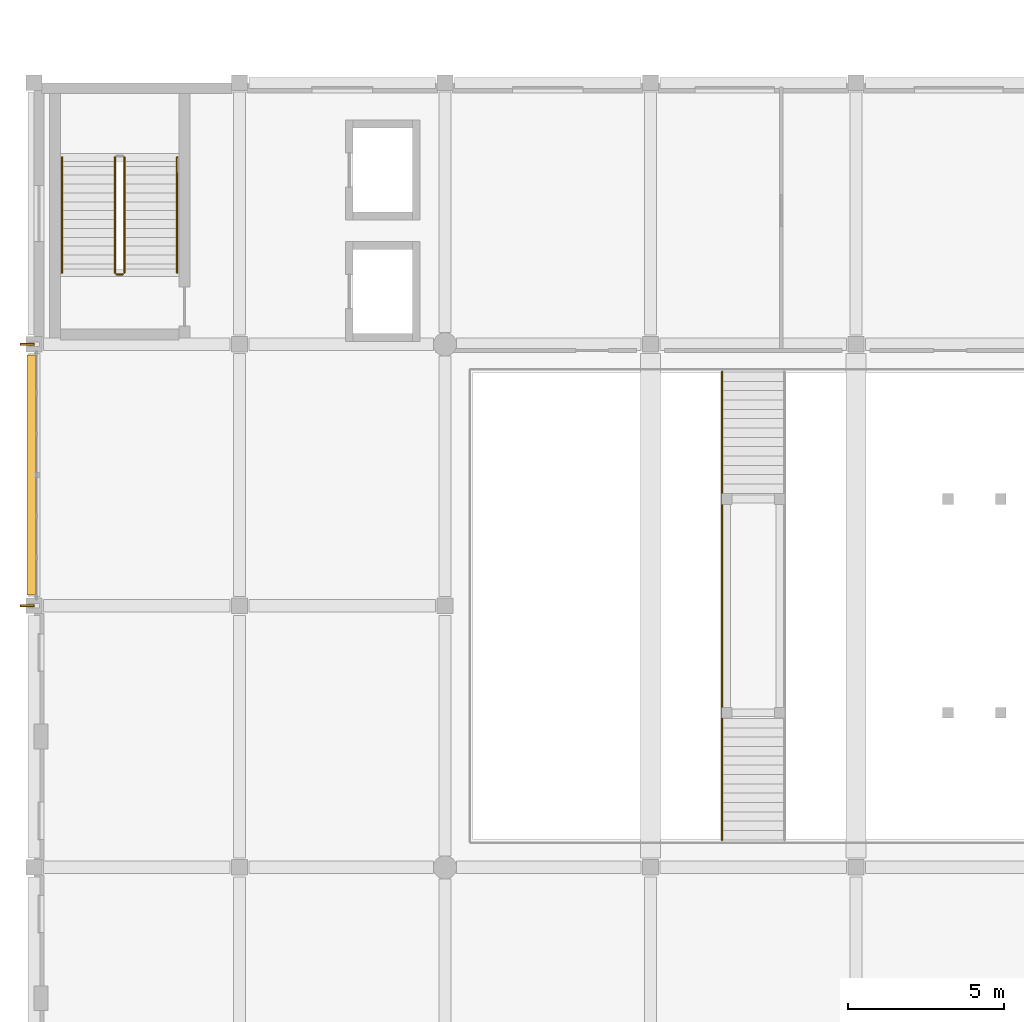
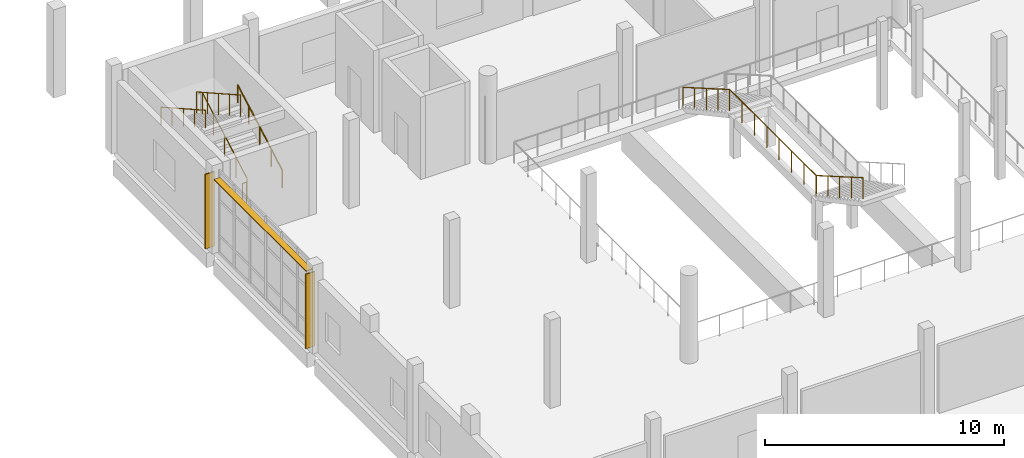
# One storey, part 72 of 83: 6 railings, 3 shading devices.
"""IFC4 building model written with IfcOpenShell, lengths in metres."""

from ifc_helpers import new_model, si_unit, direction, frame, origin, origin_2d, place, context, subcontext, project, spatial, rectangle, circle, extrude, material, layer, layer_set, type_object, element, save


model = new_model("IFC4")

# Units and contexts
model_context = context("Model", 3, precision=1e-05, world=origin(), true_north=direction((0.0, 1.0)))
body_context = subcontext(model_context, "Body", "Model", "MODEL_VIEW")
ifc_project = project(units=[si_unit("LENGTHUNIT", "METRE"), si_unit("AREAUNIT", "SQUARE_METRE"), si_unit("VOLUMEUNIT", "CUBIC_METRE"), si_unit("PLANEANGLEUNIT", "RADIAN"), si_unit("MASSUNIT", "GRAM", prefix="KILO")], contexts=[model_context])

# Site, building, storey
site_placement = place(None, origin())
site = spatial("IfcSite", under=ifc_project, at=site_placement, CompositionType="ELEMENT")
building_placement = place(site_placement, origin())
building = spatial("IfcBuilding", under=site, at=building_placement, Name="Qaldarim Faculty of Natural and Applied Sciences", CompositionType="ELEMENT")
storey_placement = place(building_placement, frame((0.0, 0.0, 5.39990234375)))
storey = spatial("IfcBuildingStorey", under=building, at=storey_placement, Name="L01", CompositionType="ELEMENT", Elevation=5.39990234375)

# Railings
ifc_material_1 = material(Name="Architectural stainless steel 316", Category="steel")
railing_type_1 = type_object("IfcRailingType", Name="GuardBalustrade-1100", PredefinedType="BALUSTRADE", material=ifc_material_1)
railing_1_placement = place(storey_placement, frame((2.89990234375, 77.89990234375, 0.16015625)))
element("IfcRailing", 1, at=railing_1_placement, inside=storey, type_object=railing_type_1, Name="ST-D2 L01 stair well guard 1", PredefinedType="BALUSTRADE", context=body_context, shape_type="SweptSolid", body=[
    extrude(circle(Radius=0.02392578125, at=origin_2d()), frame((0.0, 0.0, 1.076171875), z_axis=(0.0, 0.870998619023, 0.491285462496), x_axis=(-1.0, 0.0, 0.0)), (0.0, 0.0, 1.0), 4.25390625),
    extrude(circle(Radius=0.02099609375, at=origin_2d()), origin(), (0.0, 0.0, 1.0), 1.052001953125),
    extrude(circle(Radius=0.02099609375, at=origin_2d()), frame((0.0, 0.92626953125, 0.5224609375)), (0.0, 0.0, 1.0), 1.052001953125),
    extrude(circle(Radius=0.02099609375, at=origin_2d()), frame((0.0, 1.8525390625, 1.044921875)), (0.0, 0.0, 1.0), 1.052001953125),
    extrude(circle(Radius=0.02099609375, at=origin_2d()), frame((0.0, 2.77880859375, 1.5673828125)), (0.0, 0.0, 1.0), 1.052001953125),
    extrude(circle(Radius=0.02099609375, at=origin_2d()), frame((0.0, 3.705078125, 2.08984375)), (0.0, 0.0, 1.0), 1.052001953125),
])
railing_2_placement = place(storey_placement, frame((2.60009765625, 81.60498046875, 2.41015625)))
element("IfcRailing", 2, at=railing_2_placement, inside=storey, type_object=railing_type_1, Name="ST-D2 L01 stair well guard 3", PredefinedType="BALUSTRADE", context=body_context, shape_type="SweptSolid", body=[
    extrude(circle(Radius=0.02392578125, at=origin_2d()), frame((0.0, 0.0, 1.076171875), z_axis=(0.0, -0.870998619023, 0.491285462496), x_axis=(1.0, 0.0, 0.0)), (0.0, 0.0, 1.0), 4.25390625),
    extrude(circle(Radius=0.02099609375, at=origin_2d()), origin(), (0.0, 0.0, 1.0), 1.052001953125),
    extrude(circle(Radius=0.02099609375, at=origin_2d()), frame((0.0, -0.92626953125, 0.5224609375)), (0.0, 0.0, 1.0), 1.052001953125),
    extrude(circle(Radius=0.02099609375, at=origin_2d()), frame((0.0, -1.8525390625, 1.044921875)), (0.0, 0.0, 1.0), 1.052001953125),
    extrude(circle(Radius=0.02099609375, at=origin_2d()), frame((0.0, -2.77880859375, 1.5673828125)), (0.0, 0.0, 1.0), 1.052001953125),
    extrude(circle(Radius=0.02099609375, at=origin_2d()), frame((0.0, -3.705078125, 2.08984375)), (0.0, 0.0, 1.0), 1.052001953125),
])
railing_3_placement = place(storey_placement, frame((2.85009765625, 77.85009765625, 0.0)))
element("IfcRailing", 3, at=railing_3_placement, inside=storey, type_object=railing_type_1, Name="ST-D2 L01 stair well guard 4", PredefinedType="BALUSTRADE", context=body_context, shape_type="SweptSolid", body=[
    extrude(circle(Radius=0.02392578125, at=origin_2d()), frame((0.0, 0.0, 1.076171875), z_axis=(-1.0, 0.0, 0.0), x_axis=(0.0, -1.0, 0.0)), (0.0, 0.0, 1.0), 0.2001953125),
    extrude(circle(Radius=0.02099609375, at=origin_2d()), origin(), (0.0, 0.0, 1.0), 1.052001953125),
    extrude(circle(Radius=0.02099609375, at=origin_2d()), frame((-0.2001953125, 0.0, 0.0)), (0.0, 0.0, 1.0), 1.052001953125),
])
railing_4_placement = place(storey_placement, frame((22.10009765625, 74.715087890625, 0.0)))
element("IfcRailing", 4, at=railing_4_placement, inside=storey, type_object=railing_type_1, Name="Atrium monumental stair L01 guard balustrade W", PredefinedType="BALUSTRADE", context=body_context, shape_type="SweptSolid", body=[
    extrude(circle(Radius=0.02392578125, at=origin_2d()), frame((0.0, -0.00341796875, 1.078125), z_axis=(0.0, -0.866193710181, 0.499708371395), x_axis=(1.0, 0.0, 0.0)), (0.0, 0.0, 1.0), 4.49462890625),
    extrude(circle(Radius=0.02392578125, at=origin_2d()), frame((0.0, -3.904052734375, 3.326171875), z_axis=(0.0, -1.0, 0.0), x_axis=(1.0, 0.0, 0.0)), (0.0, 0.0, 1.0), 7.221923828125),
    extrude(circle(Radius=0.02392578125, at=origin_2d()), frame((0.0, -11.133544921875, 3.328125), z_axis=(0.0, -0.866180169578, 0.49973184192), x_axis=(1.0, 0.0, 0.0)), (0.0, 0.0, 1.0), 4.494384765625),
    extrude(circle(Radius=0.02099609375, at=origin_2d()), origin(), (0.0, 0.0, 1.0), 1.052001953125),
    extrude(circle(Radius=0.02099609375, at=origin_2d()), frame((0.0, -0.97509765625, 0.5625)), (0.0, 0.0, 1.0), 1.052001953125),
    extrude(circle(Radius=0.02099609375, at=origin_2d()), frame((0.0, -1.9501953125, 1.125)), (0.0, 0.0, 1.0), 1.052001953125),
    extrude(circle(Radius=0.02099609375, at=origin_2d()), frame((0.0, -2.925048828125, 1.6875)), (0.0, 0.0, 1.0), 1.052001953125),
    extrude(circle(Radius=0.02099609375, at=origin_2d()), frame((0.0, -3.900146484375, 2.25)), (0.0, 0.0, 1.0), 1.052001953125),
    extrude(circle(Radius=0.02099609375, at=origin_2d()), frame((0.0, -4.93310546875, 2.25)), (0.0, 0.0, 1.0), 1.052001953125),
    extrude(circle(Radius=0.02099609375, at=origin_2d()), frame((0.0, -5.9658203125, 2.25)), (0.0, 0.0, 1.0), 1.052001953125),
    extrude(circle(Radius=0.02099609375, at=origin_2d()), frame((0.0, -6.998779296875, 2.25)), (0.0, 0.0, 1.0), 1.052001953125),
    extrude(circle(Radius=0.02099609375, at=origin_2d()), frame((0.0, -8.031494140625, 2.25)), (0.0, 0.0, 1.0), 1.052001953125),
    extrude(circle(Radius=0.02099609375, at=origin_2d()), frame((0.0, -9.064453125, 2.25)), (0.0, 0.0, 1.0), 1.052001953125),
    extrude(circle(Radius=0.02099609375, at=origin_2d()), frame((0.0, -10.09716796875, 2.25)), (0.0, 0.0, 1.0), 1.052001953125),
    extrude(circle(Radius=0.02099609375, at=origin_2d()), frame((0.0, -11.130126953125, 2.25)), (0.0, 0.0, 1.0), 1.052001953125),
    extrude(circle(Radius=0.02099609375, at=origin_2d()), frame((0.0, -12.10498046875, 2.8125)), (0.0, 0.0, 1.0), 1.052001953125),
    extrude(circle(Radius=0.02099609375, at=origin_2d()), frame((0.0, -13.080078125, 3.375)), (0.0, 0.0, 1.0), 1.052001953125),
    extrude(circle(Radius=0.02099609375, at=origin_2d()), frame((0.0, -14.05517578125, 3.9375)), (0.0, 0.0, 1.0), 1.052001953125),
    extrude(circle(Radius=0.02099609375, at=origin_2d()), frame((0.0, -15.030029296875, 4.5)), (0.0, 0.0, 1.0), 1.052001953125),
])

# Shading device
ifc_material_2 = material(Name="Champagne anodised aluminium AW-6063", Category="aluminium")
ifc_layer_1 = layer(ifc_material_2, 0.050048828125)
ifc_layer_set_1 = layer_set([ifc_layer_1], Name="Champagne anodised aluminium AW-6063")
shading_device_type_1 = type_object("IfcShadingDeviceType", Name="SolarLouvre-ALU300x50", PredefinedType="JALOUSIE", material=ifc_layer_set_1)
shading_device_placement = place(storey_placement, frame((-0.070068359375, 71.39990234375, 3.8251953125), z_axis=(0.0, 0.0, 1.0), x_axis=(0.0, 1.0, 0.0)))
element("IfcShadingDevice", 5, at=shading_device_placement, inside=storey, type_object=shading_device_type_1, Name="Horizontal solar louvre L01 W X01Y09", PredefinedType="JALOUSIE", context=body_context, shape_type="SweptSolid", body=[
    extrude(rectangle(XDim=7.7099609375, YDim=0.300048828125, at=origin_2d()), origin(), (0.0, 0.0, 1.0), 0.050048828125),
])

# Railings
railing_type_2 = type_object("IfcRailingType", Name="StairHandrail-920", PredefinedType="HANDRAIL", material=ifc_material_1)
railing_5_placement = place(storey_placement, frame((4.60009765625, 77.89990234375, 0.16015625)))
element("IfcRailing", 6, at=railing_5_placement, inside=storey, type_object=railing_type_2, Name="ST-D2 L01 stair handrail 1", PredefinedType="HANDRAIL", context=body_context, shape_type="SweptSolid", body=[
    extrude(circle(Radius=0.02392578125, at=origin_2d()), frame((0.0, 0.0, 0.89599609375), z_axis=(0.0, 0.870998619023, 0.491285462496), x_axis=(-1.0, 0.0, 0.0)), (0.0, 0.0, 1.0), 4.25390625),
    extrude(circle(Radius=0.02099609375, at=origin_2d()), origin(), (0.0, 0.0, 1.0), 0.871826171875),
    extrude(circle(Radius=0.02099609375, at=origin_2d()), frame((0.0, 0.92626953125, 0.5224609375)), (0.0, 0.0, 1.0), 0.871826171875),
    extrude(circle(Radius=0.02099609375, at=origin_2d()), frame((0.0, 1.8525390625, 1.044921875)), (0.0, 0.0, 1.0), 0.871826171875),
    extrude(circle(Radius=0.02099609375, at=origin_2d()), frame((0.0, 2.77880859375, 1.5673828125)), (0.0, 0.0, 1.0), 0.871826171875),
    extrude(circle(Radius=0.02099609375, at=origin_2d()), frame((0.0, 3.705078125, 2.08984375)), (0.0, 0.0, 1.0), 0.871826171875),
])
railing_6_placement = place(storey_placement, frame((0.89990234375, 81.60498046875, 2.41015625)))
element("IfcRailing", 7, at=railing_6_placement, inside=storey, type_object=railing_type_2, Name="ST-D2 L01 stair handrail 2", PredefinedType="HANDRAIL", context=body_context, shape_type="SweptSolid", body=[
    extrude(circle(Radius=0.02392578125, at=origin_2d()), frame((0.0, 0.0, 0.89599609375), z_axis=(0.0, -0.870998619023, 0.491285462496), x_axis=(1.0, 0.0, 0.0)), (0.0, 0.0, 1.0), 4.25390625),
    extrude(circle(Radius=0.02099609375, at=origin_2d()), origin(), (0.0, 0.0, 1.0), 0.871826171875),
    extrude(circle(Radius=0.02099609375, at=origin_2d()), frame((0.0, -0.92626953125, 0.5224609375)), (0.0, 0.0, 1.0), 0.871826171875),
    extrude(circle(Radius=0.02099609375, at=origin_2d()), frame((0.0, -1.8525390625, 1.044921875)), (0.0, 0.0, 1.0), 0.871826171875),
    extrude(circle(Radius=0.02099609375, at=origin_2d()), frame((0.0, -2.77880859375, 1.5673828125)), (0.0, 0.0, 1.0), 0.871826171875),
    extrude(circle(Radius=0.02099609375, at=origin_2d()), frame((0.0, -3.705078125, 2.08984375)), (0.0, 0.0, 1.0), 0.871826171875),
])

# Shading devices
ifc_layer_2 = layer(ifc_material_2, 0.06005859375)
ifc_layer_set_2 = layer_set([ifc_layer_2], Name="Champagne anodised aluminium AW-6063")
shading_device_type_2 = type_object("IfcShadingDeviceType", Name="VerticalSunFin-ALU450x60", PredefinedType="SHUTTER", material=ifc_layer_set_2)
for number, where, z_axis, x_axis, name in (
    (8, (-0.22509765625, 67.199951171875, 0.2001953125), (0.0, 0.0, 1.0), (1.0, 0.0, 0.0), "Vertical solar fin FIN-L01-X01Y09"),
    (9, (-0.22509765625, 75.60009765625, 0.2001953125), (0.0, 0.0, 1.0), (1.0, 0.0, 0.0), "Vertical solar fin FIN-L01-X01Y10"),
):
    element("IfcShadingDevice", number, at=place(storey_placement, frame(where, z_axis=z_axis, x_axis=x_axis)), inside=storey, type_object=shading_device_type_2, Name=name, PredefinedType="SHUTTER", context=body_context, shape_type="SweptSolid", body=[
        extrude(rectangle(XDim=0.449951171875, YDim=0.06005859375, at=origin_2d()), origin(), (0.0, 0.0, 1.0), 3.800048828125),
    ])

save(model, "model.ifc")
